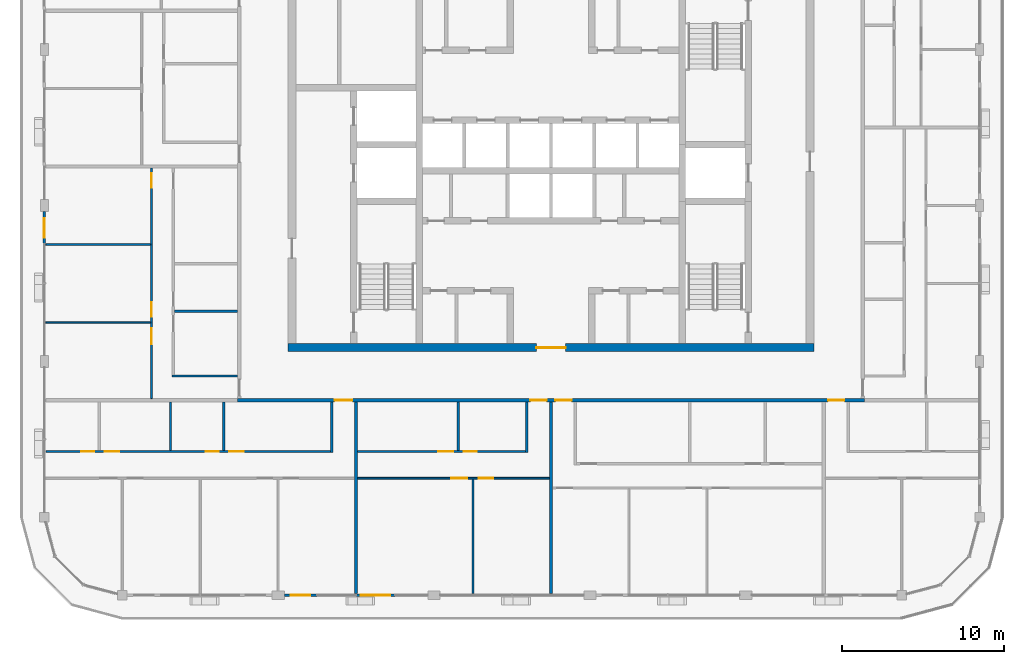
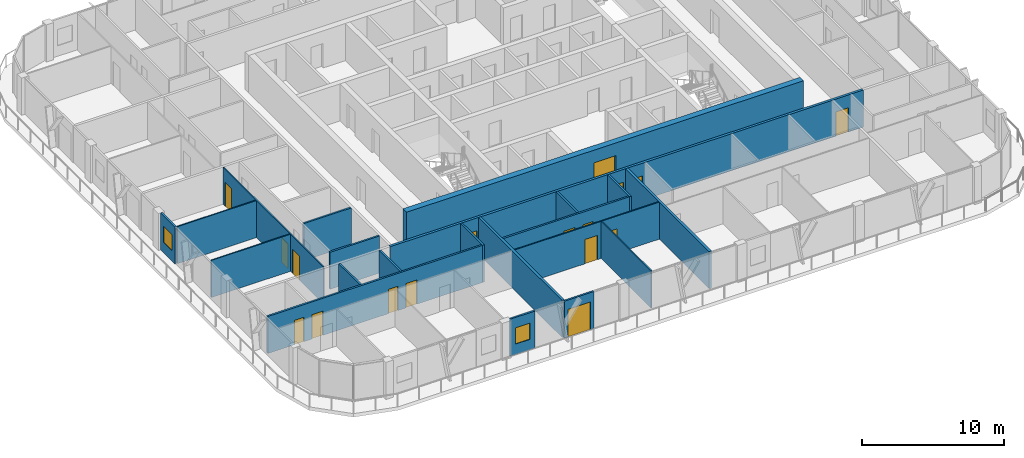
# One storey, part 9 of 21: 21 walls, 17 doors, 2 windows, 19 openings.
"""IFC4 building model written with IfcOpenShell, lengths in metres."""

import ifcopenshell
import ifcopenshell.guid

model = None  # the IFC model being written
_history = None  # IfcOwnerHistory: only IFC2X3 demands one
_inside = {}  # id of a spatial element -> (the spatial element, [elements in it])
_under = {}  # id of a project, library or spatial element -> (it, [spatial elements below it])
_declared = {}  # id of a project -> (the project, [libraries it declares])
_typed = {}  # id of a type object -> (the type object, [elements of that type])
_made_of = {}  # id of a material, layer set ... -> (it, [elements and type objects made of it])


def new_model(schema):
    """Start an empty IFC model of exactly this schema.

    Asked for "IFC4X3", IfcOpenShell would pick the latest addendum, in which some entities
    have other attributes; the version numbers below select the first issue.
    IFC2X3 requires an IfcOwnerHistory on every rooted entity: one is made here for all.
    """
    global model, _history
    if schema == "IFC4X3":
        model = ifcopenshell.file(schema_version=(4, 3, 0, 0))
    else:
        model = ifcopenshell.file(schema=schema)
    _inside.clear()
    _under.clear()
    _declared.clear()
    _typed.clear()
    _made_of.clear()
    _history = None
    if model.schema == "IFC2X3":
        org = make("IfcOrganization", Name="unknown")
        user = make(
            "IfcPersonAndOrganization",
            ThePerson=make("IfcPerson", FamilyName="unknown"),
            TheOrganization=org,
        )
        app = make(
            "IfcApplication",
            ApplicationDeveloper=org,
            Version="unknown",
            ApplicationFullName="unknown",
            ApplicationIdentifier="unknown",
        )
        _history = make(
            "IfcOwnerHistory",
            OwningUser=user,
            OwningApplication=app,
            ChangeAction="ADDED",
            CreationDate=0,
        )
    return model


def make(cls, **values):
    """One entity of the class cls with the attributes given. An attribute that is None is left unset."""
    return model.create_entity(
        cls, **{name: value for name, value in values.items() if value is not None}
    )


def rooted(cls, **values):
    """An entity with a GlobalId (a new one), such as an element, a storey or a relation."""
    return make(cls, GlobalId=ifcopenshell.guid.new(), OwnerHistory=_history, **values)


def si_unit(unit_type, name, prefix=None):
    """IfcSIUnit, for example si_unit("LENGTHUNIT", "METRE", prefix="MILLI")."""
    return make("IfcSIUnit", UnitType=unit_type, Prefix=prefix, Name=name)


def assignment(units):
    """IfcUnitAssignment: the units of a project."""
    return None if units is None else make("IfcUnitAssignment", Units=units)


def point(xyz):
    """IfcCartesianPoint."""
    return None if xyz is None else make("IfcCartesianPoint", Coordinates=xyz)


def direction(xyz):
    """IfcDirection."""
    return None if xyz is None else make("IfcDirection", DirectionRatios=xyz)


def frame(location, z_axis=None, x_axis=None):
    """IfcAxis2Placement3D, a coordinate frame: its origin and axes. An axis left out is left unset."""
    return make(
        "IfcAxis2Placement3D",
        Location=point(location),
        Axis=direction(z_axis),
        RefDirection=direction(x_axis),
    )


def frame_2d(location, x_axis=None):
    """IfcAxis2Placement2D, a coordinate frame in the plane: its origin and x axis."""
    return make(
        "IfcAxis2Placement2D", Location=point(location), RefDirection=direction(x_axis)
    )


def origin():
    """The frame at (0, 0, 0) with its axes left unset."""
    return frame((0.0, 0.0, 0.0))


def place(relative_to, where):
    """IfcLocalPlacement: puts the frame where relative to a parent placement (None: the world)."""
    return make(
        "IfcLocalPlacement", PlacementRelTo=relative_to, RelativePlacement=where
    )


def context(
    kind, dimensions, precision=None, world=None, true_north=None, identifier=None
):
    """IfcGeometricRepresentationContext, for example the 3D "Model" context."""
    return make(
        "IfcGeometricRepresentationContext",
        ContextIdentifier=identifier,
        ContextType=kind,
        CoordinateSpaceDimension=dimensions,
        Precision=precision,
        WorldCoordinateSystem=world,
        TrueNorth=true_north,
    )


def subcontext(parent, identifier, kind, view, scale=None):
    """IfcGeometricRepresentationSubContext, for example "Body" below "Model"."""
    return make(
        "IfcGeometricRepresentationSubContext",
        ContextIdentifier=identifier,
        ContextType=kind,
        ParentContext=parent,
        TargetScale=scale,
        TargetView=view,
    )


def project(units=None, contexts=None):
    """IfcProject with its units and contexts."""
    return rooted(
        "IfcProject",
        Name="project",
        RepresentationContexts=contexts,
        UnitsInContext=assignment(units),
    )


def spatial(cls, under=None, at=None, **own):
    """A site, building, storey or space (cls), placed at a placement, below another one or the project."""
    s = rooted(cls, ObjectPlacement=at, **own)
    if under is not None:
        _under.setdefault(under.id(), (under, []))[1].append(s)
    return s


def profile(cls, at=None, kind="AREA", **sizes):
    """A parametric profile (cls). Its sizes go by their IFC names, for example OverallWidth=200.0."""
    return make(cls, ProfileType=kind, Position=at, **sizes)


def rectangle(**sizes):
    """IfcRectangleProfileDef."""
    return profile("IfcRectangleProfileDef", **sizes)


def extrude(swept, where, along, depth):
    """IfcExtrudedAreaSolid: the profile swept, set in the frame where, extruded along a direction by depth."""
    return make(
        "IfcExtrudedAreaSolid",
        SweptArea=swept,
        Position=where,
        ExtrudedDirection=direction(along),
        Depth=depth,
    )


def shape(context_of_items, identifier, shape_type, items):
    """IfcShapeRepresentation: the items that make up one representation, for example the "Body"."""
    return make(
        "IfcShapeRepresentation",
        ContextOfItems=context_of_items,
        RepresentationIdentifier=identifier,
        RepresentationType=shape_type,
        Items=items,
    )


def material(Name=None, Category=None):
    """IfcMaterial."""
    return make("IfcMaterial", Name=Name, Category=Category)


def layer(
    of_material, thickness, ventilated=None, Name=None, Category=None, Priority=None
):
    """IfcMaterialLayer: one layer of a wall or slab, of a material (None: an air gap)."""
    return make(
        "IfcMaterialLayer",
        Material=of_material,
        LayerThickness=thickness,
        IsVentilated=ventilated,
        Name=Name,
        Category=Category,
        Priority=Priority,
    )


def layer_set(layers, Name=None):
    """IfcMaterialLayerSet."""
    return make("IfcMaterialLayerSet", MaterialLayers=layers, LayerSetName=Name)


def made_of(thing, what):
    """Note that an element or type object is made of a material, layer set ...; save() writes the relation."""
    if what is not None:
        _made_of.setdefault(what.id(), (what, []))[1].append(thing)
    return thing


def type_object(cls, material=None, **own):
    """A type object (cls), such as IfcWallType, which elements share."""
    return made_of(rooted(cls, **own), material)


def element(
    cls,
    number,
    at=None,
    inside=None,
    cuts=None,
    type_object=None,
    material=None,
    context=None,
    identifier="Body",
    shape_type=None,
    held_by="IfcProductDefinitionShape",
    body=None,
    shapes=None,
    **own,
):
    """One element of the class cls, such as IfcWall. Its Tag is "e" and its number.

    at: its placement. inside: the storey or other place that contains it. cuts: it is an
    opening in that element (IfcRelVoidsElement). A single representation is given by context,
    identifier, shape_type and body (its items); several are given by shapes. held_by: the class
    of the entity that holds the representations. save() writes the other relations.
    """
    e = rooted(cls, Tag="e%d" % number, ObjectPlacement=at, **own)
    if body is not None:
        shapes = [shape(context, identifier, shape_type, body)]
    if shapes is not None:
        e.Representation = make(held_by, Representations=shapes)
    if inside is not None:
        _inside.setdefault(inside.id(), (inside, []))[1].append(e)
    if cuts is not None:
        rooted(
            "IfcRelVoidsElement", RelatingBuildingElement=cuts, RelatedOpeningElement=e
        )
    if type_object is not None:
        _typed.setdefault(type_object.id(), (type_object, []))[1].append(e)
    return made_of(e, material)


def fill(opening, filler):
    """IfcRelFillsElement: the door or window that sits in an opening."""
    return rooted(
        "IfcRelFillsElement",
        RelatingOpeningElement=opening,
        RelatedBuildingElement=filler,
    )


def aggregate(whole, parts):
    """IfcRelAggregates: a whole, such as a stair, and the parts it consists of."""
    return rooted("IfcRelAggregates", RelatingObject=whole, RelatedObjects=parts)


def save(model, path):
    """Write the relations noted so far, then the file.

    IfcRelAggregates (storeys below a building ...), IfcRelContainedInSpatialStructure (elements
    in a storey), IfcRelDefinesByType, IfcRelAssociatesMaterial and IfcRelDeclares: one each for
    every whole, place, type object, material and project.
    """
    for whole, parts in _under.values():
        aggregate(whole, parts)
    for where, things in _inside.values():
        rooted(
            "IfcRelContainedInSpatialStructure",
            RelatedElements=things,
            RelatingStructure=where,
        )
    for kind, things in _typed.values():
        rooted("IfcRelDefinesByType", RelatedObjects=things, RelatingType=kind)
    for what, things in _made_of.values():
        rooted("IfcRelAssociatesMaterial", RelatedObjects=things, RelatingMaterial=what)
    for by, libraries in _declared.values():
        rooted("IfcRelDeclares", RelatingContext=by, RelatedDefinitions=libraries)
    model.write(path)


model = new_model("IFC4")

# Units and contexts
model_context = context("Model", 3, precision=1e-05, world=origin(), true_north=direction((0.0, 1.0)))
body_context = subcontext(model_context, "Body", "Model", "MODEL_VIEW")
ifc_project = project(units=[si_unit("LENGTHUNIT", "METRE"), si_unit("AREAUNIT", "SQUARE_METRE"), si_unit("VOLUMEUNIT", "CUBIC_METRE"), si_unit("PLANEANGLEUNIT", "RADIAN"), si_unit("MASSUNIT", "GRAM", prefix="KILO")], contexts=[model_context])

# Site, building, storey
site_placement = place(None, origin())
site = spatial("IfcSite", under=ifc_project, at=site_placement, CompositionType="ELEMENT")
building_placement = place(site_placement, origin())
building = spatial("IfcBuilding", under=site, at=building_placement, Name="Madar Terraces", CompositionType="ELEMENT")
storey_placement = place(building_placement, frame((0.0, 0.0, 268.60009765625)))
storey = spatial("IfcBuildingStorey", under=building, at=storey_placement, Name="L70", CompositionType="ELEMENT", Elevation=268.60009765625)

# Wall, opening, door
ifc_material_1 = material(Name="Concrete C50/60", Category="concrete")
ifc_layer_1 = layer(ifc_material_1, 0.5)
ifc_layer_set_1 = layer_set([ifc_layer_1], Name="Concrete C50/60 (CRW6 RC wall 500)")
wall_type_1 = type_object("IfcWallType", Name="CRW6 RC wall 500", PredefinedType="SHEAR", material=ifc_layer_set_1)
wall_1_placement = place(storey_placement, frame((15.0, 15.25, 0.0), z_axis=(0.0, 0.0, 1.0), x_axis=(1.0, 0.0, 0.0)))
wall_1 = element("IfcWall", 1, at=wall_1_placement, inside=storey, type_object=wall_type_1, Name="CORE OUTER WALL", PredefinedType="SHEAR", context=body_context, shape_type="SweptSolid", body=[
    extrude(rectangle(XDim=32.39990234375, YDim=0.5, at=frame_2d((16.199951171875, 0.0))), origin(), (0.0, 0.0, 1.0), 3.199951171875),
])
opening_1_placement = place(wall_1_placement, frame((15.300048828125, 0.0, 0.0)))
opening_1 = element("IfcOpeningElement", 2, at=opening_1_placement, cuts=wall_1, Name="Opening KD1", PredefinedType="OPENING", context=body_context, shape_type="SweptSolid", body=[
    extrude(rectangle(XDim=1.800048828125, YDim=2.10009765625, at=frame_2d((0.89990234375, 1.050048828125))), frame((0.0, 0.260009765625, 0.0), z_axis=(0.0, -1.0, 0.0), x_axis=(1.0, 0.0, 0.0)), (0.0, 0.0, 1.0), 0.52001953125),
])
ifc_material_2 = material(Name="Steel door leaf", Category="steel")
door_type_1 = type_object("IfcDoorType", Name="Lobby door pair 1800 x 2100", OperationType="DOUBLE_DOOR_SINGLE_SWING", PredefinedType="DOOR", material=ifc_material_2)
door_1_placement = place(opening_1_placement, frame((1.800048828125, 0.0, 0.0), z_axis=(0.0, 0.0, 1.0), x_axis=(-1.0, 0.0, 0.0)))
door_1 = element("IfcDoor", 3, at=door_1_placement, inside=storey, type_object=door_type_1, Name="LIFT LOBBY DOOR", OperationType="DOUBLE_DOOR_SINGLE_SWING", OverallHeight=2.10009765625, OverallWidth=1.800048828125, PredefinedType="DOOR", context=body_context, shape_type="SweptSolid", body=[
    extrude(rectangle(XDim=1.800048828125, YDim=2.10009765625, at=frame_2d((0.89990234375, 1.050048828125))), frame((0.0, 0.02490234375, 0.0), z_axis=(0.0, -1.0, 0.0), x_axis=(1.0, 0.0, 0.0)), (0.0, 0.0, 1.0), 0.050048828125),
])
fill(opening_1, door_1)

# Wall, opening, window
ifc_material_3 = material(Name="Aluminium composite panel, black, over insulated backing", Category="aluminium")
ifc_layer_2 = layer(ifc_material_3, 0.14990234375)
ifc_layer_set_2 = layer_set([ifc_layer_2], Name="Facade bay panel 150")
wall_type_2 = type_object("IfcWallType", Name="Facade bay panel 150", PredefinedType="SOLIDWALL", material=ifc_layer_set_2)
wall_2_placement = place(storey_placement, frame((14.77490234375, 0.0, 0.0), z_axis=(0.0, 0.0, 1.0), x_axis=(1.0, 0.0, 0.0)))
wall_2 = element("IfcWall", 4, at=wall_2_placement, inside=storey, type_object=wall_type_2, Name="Facade bay panel", PredefinedType="SOLIDWALL", context=body_context, shape_type="SweptSolid", body=[
    extrude(rectangle(XDim=2.025146484375, YDim=0.14990234375, at=frame_2d((1.0126953125, 0.0))), origin(), (0.0, 0.0, 1.0), 3.199951171875),
])
opening_2_placement = place(wall_2_placement, frame((0.41259765625, 0.0, 0.89990234375)))
opening_2 = element("IfcOpeningElement", 5, at=opening_2_placement, cuts=wall_2, Name="Opening W1", PredefinedType="OPENING", context=body_context, shape_type="SweptSolid", body=[
    extrude(rectangle(XDim=1.199951171875, YDim=1.39990234375, at=frame_2d((0.60009765625, 0.699951171875))), frame((0.0, 0.0849609375, 0.0), z_axis=(0.0, -1.0, 0.0), x_axis=(1.0, 0.0, 0.0)), (0.0, 0.0, 1.0), 0.169921875),
])
ifc_material_4 = material(Name="Glass, clear, with black aluminium frame", Category="aluminium")
window_type = type_object("IfcWindowType", Name="Vent window 1200 x 1400", PartitioningType="SINGLE_PANEL", PredefinedType="WINDOW", material=ifc_material_4)
window_1_placement = place(opening_2_placement, origin())
window_1 = element("IfcWindow", 6, at=window_1_placement, inside=storey, type_object=window_type, Name="Operable vent window", OverallHeight=1.39990234375, OverallWidth=1.199951171875, PartitioningType="SINGLE_PANEL", PredefinedType="WINDOW", context=body_context, shape_type="SweptSolid", body=[
    extrude(rectangle(XDim=1.199951171875, YDim=1.39990234375, at=frame_2d((0.60009765625, 0.699951171875))), frame((0.0, 0.030029296875, 0.0), z_axis=(0.0, -1.0, 0.0), x_axis=(1.0, 0.0, 0.0)), (0.0, 0.0, 1.0), 0.06005859375),
])
fill(opening_2, window_1)

# Wall, opening, door
wall_3_placement = place(storey_placement, frame((19.199951171875, 0.0, 0.0), z_axis=(0.0, 0.0, 1.0), x_axis=(1.0, 0.0, 0.0)))
wall_3 = element("IfcWall", 7, at=wall_3_placement, inside=storey, type_object=wall_type_2, Name="Facade bay panel", PredefinedType="SOLIDWALL", context=body_context, shape_type="SweptSolid", body=[
    extrude(rectangle(XDim=2.400146484375, YDim=0.14990234375, at=frame_2d((1.2001953125, 0.0))), origin(), (0.0, 0.0, 1.0), 3.199951171875),
])
opening_3_placement = place(wall_3_placement, frame((0.300048828125, 0.0, 0.0)))
opening_3 = element("IfcOpeningElement", 8, at=opening_3_placement, cuts=wall_3, Name="Opening ED1", PredefinedType="OPENING", context=body_context, shape_type="SweptSolid", body=[
    extrude(rectangle(XDim=1.800048828125, YDim=2.39990234375, at=frame_2d((0.89990234375, 1.199951171875))), frame((0.0, 0.0849609375, 0.0), z_axis=(0.0, -1.0, 0.0), x_axis=(1.0, 0.0, 0.0)), (0.0, 0.0, 1.0), 0.169921875),
])
ifc_material_5 = material(Name="Glass, clear, with black aluminium frame", Category="aluminium")
door_type_2 = type_object("IfcDoorType", Name="Balcony and terrace sliding door 1800 x 2400", OperationType="SLIDING_TO_LEFT", PredefinedType="DOOR", material=ifc_material_5)
door_2_placement = place(opening_3_placement, origin())
door_2 = element("IfcDoor", 9, at=door_2_placement, inside=storey, type_object=door_type_2, Name="Balcony door", OperationType="SLIDING_TO_LEFT", OverallHeight=2.39990234375, OverallWidth=1.800048828125, PredefinedType="DOOR", context=body_context, shape_type="SweptSolid", body=[
    extrude(rectangle(XDim=1.800048828125, YDim=2.39990234375, at=frame_2d((0.89990234375, 1.199951171875))), frame((0.0, 0.02490234375, 0.0), z_axis=(0.0, -1.0, 0.0), x_axis=(1.0, 0.0, 0.0)), (0.0, 0.0, 1.0), 0.050048828125),
])
fill(opening_3, door_2)

# Wall, opening, window
wall_4_placement = place(storey_placement, frame((0.0, 23.625, 0.0), z_axis=(0.0, 0.0, 1.0), x_axis=(0.0, -1.0, 0.0)))
wall_4 = element("IfcWall", 10, at=wall_4_placement, inside=storey, type_object=wall_type_2, Name="Facade bay panel", PredefinedType="SOLIDWALL", context=body_context, shape_type="SweptSolid", body=[
    extrude(rectangle(XDim=2.02490234375, YDim=0.14990234375, at=frame_2d((1.012451171875, 0.0))), origin(), (0.0, 0.0, 1.0), 3.199951171875),
])
opening_4_placement = place(wall_4_placement, frame((0.41259765625, 0.0, 0.89990234375)))
opening_4 = element("IfcOpeningElement", 11, at=opening_4_placement, cuts=wall_4, Name="Opening W1", PredefinedType="OPENING", context=body_context, shape_type="SweptSolid", body=[
    extrude(rectangle(XDim=1.199951171875, YDim=1.39990234375, at=frame_2d((0.60009765625, 0.699951171875))), frame((0.0, 0.0849609375, 0.0), z_axis=(0.0, -1.0, 0.0), x_axis=(1.0, 0.0, 0.0)), (0.0, 0.0, 1.0), 0.169921875),
])
window_2_placement = place(opening_4_placement, origin())
window_2 = element("IfcWindow", 12, at=window_2_placement, inside=storey, type_object=window_type, Name="Operable vent window", OverallHeight=1.39990234375, OverallWidth=1.199951171875, PartitioningType="SINGLE_PANEL", PredefinedType="WINDOW", context=body_context, shape_type="SweptSolid", body=[
    extrude(rectangle(XDim=1.199951171875, YDim=1.39990234375, at=frame_2d((0.60009765625, 0.699951171875))), frame((0.0, 0.030029296875, 0.0), z_axis=(0.0, -1.0, 0.0), x_axis=(1.0, 0.0, 0.0)), (0.0, 0.0, 1.0), 0.06005859375),
])
fill(opening_4, window_2)

# Wall
ifc_material_6 = material(Name="Gypsum board on steel studs", Category="steel")
ifc_layer_3 = layer(ifc_material_6, 0.10009765625)
ifc_layer_set_3 = layer_set([ifc_layer_3], Name="Flat partition 100")
wall_type_3 = type_object("IfcWallType", Name="Flat partition 100", PredefinedType="PARTITIONING", material=ifc_layer_set_3)
wall_5_placement = place(storey_placement, frame((26.39990234375, 7.14990234375, 0.0), z_axis=(0.0, 0.0, 1.0), x_axis=(0.0, -1.0, 0.0)))
element("IfcWall", 13, at=wall_5_placement, inside=storey, type_object=wall_type_3, Name="Flat partition 100", PredefinedType="PARTITIONING", context=body_context, shape_type="SweptSolid", body=[
    extrude(rectangle(XDim=7.0498046875, YDim=0.10009765625, at=frame_2d((3.52490234375, 0.0))), origin(), (0.0, 0.0, 1.0), 3.199951171875),
])

# Wall, openings, doors
wall_6_placement = place(storey_placement, frame((31.10009765625, 7.199951171875, 0.0), z_axis=(0.0, 0.0, 1.0), x_axis=(-1.0, 0.0, 0.0)))
wall_6 = element("IfcWall", 14, at=wall_6_placement, inside=storey, type_object=wall_type_3, Name="Flat partition 100", PredefinedType="PARTITIONING", context=body_context, shape_type="SweptSolid", body=[
    extrude(rectangle(XDim=11.800048828125, YDim=0.10009765625, at=frame_2d((5.89990234375, 0.0))), origin(), (0.0, 0.0, 1.0), 3.199951171875),
])
opening_5_placement = place(wall_6_placement, frame((3.449951171875, 0.0, 0.0)))
opening_5 = element("IfcOpeningElement", 15, at=opening_5_placement, cuts=wall_6, Name="Opening D2", PredefinedType="OPENING", context=body_context, shape_type="SweptSolid", body=[
    extrude(rectangle(XDim=0.89990234375, YDim=2.10009765625, at=frame_2d((0.449951171875, 1.050048828125))), frame((0.0, 0.06005859375, 0.0), z_axis=(0.0, -1.0, 0.0), x_axis=(1.0, 0.0, 0.0)), (0.0, 0.0, 1.0), 0.1201171875),
])
opening_6_placement = place(wall_6_placement, frame((5.050048828125, 0.0, 0.0)))
opening_6 = element("IfcOpeningElement", 16, at=opening_6_placement, cuts=wall_6, Name="Opening D3", PredefinedType="OPENING", context=body_context, shape_type="SweptSolid", body=[
    extrude(rectangle(XDim=1.0, YDim=2.10009765625, at=frame_2d((0.5, 1.050048828125))), frame((0.0, 0.06005859375, 0.0), z_axis=(0.0, -1.0, 0.0), x_axis=(1.0, 0.0, 0.0)), (0.0, 0.0, 1.0), 0.1201171875),
])
ifc_material_7 = material(Name="Timber door leaf", Category="wood")
door_type_3 = type_object("IfcDoorType", Name="Flat living room door 1000", OperationType="NOTDEFINED", PredefinedType="DOOR", material=ifc_material_7)
door_3_placement = place(opening_6_placement, origin())
door_3 = element("IfcDoor", 17, at=door_3_placement, inside=storey, type_object=door_type_3, Name="Flat living room door 1000", OperationType="SINGLE_SWING_LEFT", OverallHeight=2.10009765625, OverallWidth=1.0, PredefinedType="DOOR", context=body_context, shape_type="SweptSolid", body=[
    extrude(rectangle(XDim=1.0, YDim=2.10009765625, at=frame_2d((0.5, 1.050048828125))), frame((0.0, 0.02490234375, 0.0), z_axis=(0.0, -1.0, 0.0), x_axis=(1.0, 0.0, 0.0)), (0.0, 0.0, 1.0), 0.050048828125),
])
fill(opening_6, door_3)
ifc_material_8 = material(Name="Timber door leaf", Category="wood")
door_type_4 = type_object("IfcDoorType", Name="Flat room door 900", OperationType="NOTDEFINED", PredefinedType="DOOR", material=ifc_material_8)
door_4_placement = place(opening_5_placement, origin())
door_4 = element("IfcDoor", 18, at=door_4_placement, inside=storey, type_object=door_type_4, Name="Flat room door 900", OperationType="SINGLE_SWING_RIGHT", OverallHeight=2.10009765625, OverallWidth=0.89990234375, PredefinedType="DOOR", context=body_context, shape_type="SweptSolid", body=[
    extrude(rectangle(XDim=0.89990234375, YDim=2.10009765625, at=frame_2d((0.449951171875, 1.050048828125))), frame((0.0, 0.02490234375, 0.0), z_axis=(0.0, -1.0, 0.0), x_axis=(1.0, 0.0, 0.0)), (0.0, 0.0, 1.0), 0.050048828125),
])
fill(opening_5, door_4)

# Walls
for number, where, z_axis, x_axis, name in (
    (19, (6.550048828125, 16.800048828125, 0.0), (0.0, 0.0, 1.0), (-1.0, 0.0, 0.0), "Flat partition 100"),
    (20, (6.550048828125, 21.60009765625, 0.0), (0.0, 0.0, 1.0), (-1.0, 0.0, 0.0), "Flat partition 100"),
):
    element("IfcWall", number, at=place(storey_placement, frame(where, z_axis=z_axis, x_axis=x_axis)), inside=storey, type_object=wall_type_3, Name=name, PredefinedType="PARTITIONING", context=body_context, shape_type="SweptSolid", body=[
        extrude(rectangle(XDim=6.449951171875, YDim=0.10009765625, at=frame_2d((3.22509765625, 0.0))), origin(), (0.0, 0.0, 1.0), 3.199951171875),
    ])

# Wall, openings, doors
wall_7_placement = place(storey_placement, frame((6.60009765625, 12.10009765625, 0.0), z_axis=(0.0, 0.0, 1.0), x_axis=(0.0, 1.0, 0.0)))
wall_7 = element("IfcWall", 21, at=wall_7_placement, inside=storey, type_object=wall_type_3, Name="Flat partition 100", PredefinedType="PARTITIONING", context=body_context, shape_type="SweptSolid", body=[
    extrude(rectangle(XDim=14.199951171875, YDim=0.10009765625, at=frame_2d((7.10009765625, 0.0))), origin(), (0.0, 0.0, 1.0), 3.199951171875),
])
opening_7_placement = place(wall_7_placement, frame((3.35009765625, 0.0, 0.0)))
opening_7 = element("IfcOpeningElement", 22, at=opening_7_placement, cuts=wall_7, Name="Opening D3", PredefinedType="OPENING", context=body_context, shape_type="SweptSolid", body=[
    extrude(rectangle(XDim=1.0, YDim=2.10009765625, at=frame_2d((0.5, 1.050048828125))), frame((0.0, 0.06005859375, 0.0), z_axis=(0.0, -1.0, 0.0), x_axis=(1.0, 0.0, 0.0)), (0.0, 0.0, 1.0), 0.1201171875),
])
opening_8_placement = place(wall_7_placement, frame((5.050048828125, 0.0, 0.0)))
opening_8 = element("IfcOpeningElement", 23, at=opening_8_placement, cuts=wall_7, Name="Opening D2", PredefinedType="OPENING", context=body_context, shape_type="SweptSolid", body=[
    extrude(rectangle(XDim=0.89990234375, YDim=2.10009765625, at=frame_2d((0.449951171875, 1.050048828125))), frame((0.0, 0.06005859375, 0.0), z_axis=(0.0, -1.0, 0.0), x_axis=(1.0, 0.0, 0.0)), (0.0, 0.0, 1.0), 0.1201171875),
])
opening_9_placement = place(wall_7_placement, frame((13.0, 0.0, 0.0)))
opening_9 = element("IfcOpeningElement", 24, at=opening_9_placement, cuts=wall_7, Name="Opening D2", PredefinedType="OPENING", context=body_context, shape_type="SweptSolid", body=[
    extrude(rectangle(XDim=0.89990234375, YDim=2.10009765625, at=frame_2d((0.449951171875, 1.050048828125))), frame((0.0, 0.06005859375, 0.0), z_axis=(0.0, -1.0, 0.0), x_axis=(1.0, 0.0, 0.0)), (0.0, 0.0, 1.0), 0.1201171875),
])
door_5_placement = place(opening_7_placement, origin())
door_5 = element("IfcDoor", 25, at=door_5_placement, inside=storey, type_object=door_type_3, Name="Flat living room door 1000", OperationType="SINGLE_SWING_RIGHT", OverallHeight=2.10009765625, OverallWidth=1.0, PredefinedType="DOOR", context=body_context, shape_type="SweptSolid", body=[
    extrude(rectangle(XDim=1.0, YDim=2.10009765625, at=frame_2d((0.5, 1.050048828125))), frame((0.0, 0.02490234375, 0.0), z_axis=(0.0, -1.0, 0.0), x_axis=(1.0, 0.0, 0.0)), (0.0, 0.0, 1.0), 0.050048828125),
])
fill(opening_7, door_5)
door_6_placement = place(opening_8_placement, origin())
door_6 = element("IfcDoor", 26, at=door_6_placement, inside=storey, type_object=door_type_4, Name="Flat room door 900", OperationType="SINGLE_SWING_LEFT", OverallHeight=2.10009765625, OverallWidth=0.89990234375, PredefinedType="DOOR", context=body_context, shape_type="SweptSolid", body=[
    extrude(rectangle(XDim=0.89990234375, YDim=2.10009765625, at=frame_2d((0.449951171875, 1.050048828125))), frame((0.0, 0.02490234375, 0.0), z_axis=(0.0, -1.0, 0.0), x_axis=(1.0, 0.0, 0.0)), (0.0, 0.0, 1.0), 0.050048828125),
])
fill(opening_8, door_6)
door_7_placement = place(opening_9_placement, origin())
door_7 = element("IfcDoor", 27, at=door_7_placement, inside=storey, type_object=door_type_4, Name="Flat room door 900", OperationType="SINGLE_SWING_RIGHT", OverallHeight=2.10009765625, OverallWidth=0.89990234375, PredefinedType="DOOR", context=body_context, shape_type="SweptSolid", body=[
    extrude(rectangle(XDim=0.89990234375, YDim=2.10009765625, at=frame_2d((0.449951171875, 1.050048828125))), frame((0.0, 0.02490234375, 0.0), z_axis=(0.0, -1.0, 0.0), x_axis=(1.0, 0.0, 0.0)), (0.0, 0.0, 1.0), 0.050048828125),
])
fill(opening_9, door_7)

ifc_material_9 = material(Name="Lightweight blockwork", Category="masonry")
ifc_layer_4 = layer(ifc_material_9, 0.199951171875)
ifc_layer_set_4 = layer_set([ifc_layer_4], Name="Flat party and entrance wall 200")
wall_type_4 = type_object("IfcWallType", Name="Flat party and entrance wall 200", PredefinedType="PARTITIONING", material=ifc_layer_set_4)
wall_8_placement = place(storey_placement, frame((50.5, 12.0, 0.0), z_axis=(0.0, 0.0, 1.0), x_axis=(-1.0, 0.0, 0.0)))
wall_8 = element("IfcWall", 28, at=wall_8_placement, inside=storey, type_object=wall_type_4, Name="Flat party and entrance wall 200", PredefinedType="PARTITIONING", context=body_context, shape_type="SweptSolid", body=[
    extrude(rectangle(XDim=38.60009765625, YDim=0.199951171875, at=frame_2d((19.300048828125, 0.0))), origin(), (0.0, 0.0, 1.0), 3.199951171875),
])
opening_10_placement = place(wall_8_placement, frame((31.52490234375, 0.0, 0.0)))
opening_10 = element("IfcOpeningElement", 29, at=opening_10_placement, cuts=wall_8, Name="Opening D6", PredefinedType="OPENING", context=body_context, shape_type="SweptSolid", body=[
    extrude(rectangle(XDim=1.10009765625, YDim=2.10009765625, at=frame_2d((0.550048828125, 1.050048828125))), frame((0.0, 0.10986328125, 0.0), z_axis=(0.0, -1.0, 0.0), x_axis=(1.0, 0.0, 0.0)), (0.0, 0.0, 1.0), 0.219970703125),
])
opening_11_placement = place(wall_8_placement, frame((19.574951171875, 0.0, 0.0)))
opening_11 = element("IfcOpeningElement", 30, at=opening_11_placement, cuts=wall_8, Name="Opening D1", PredefinedType="OPENING", context=body_context, shape_type="SweptSolid", body=[
    extrude(rectangle(XDim=1.0, YDim=2.10009765625, at=frame_2d((0.5, 1.050048828125))), frame((0.0, 0.10986328125, 0.0), z_axis=(0.0, -1.0, 0.0), x_axis=(1.0, 0.0, 0.0)), (0.0, 0.0, 1.0), 0.219970703125),
])
opening_12_placement = place(wall_8_placement, frame((18.02490234375, 0.0, 0.0)))
opening_12 = element("IfcOpeningElement", 31, at=opening_12_placement, cuts=wall_8, Name="Opening D1", PredefinedType="OPENING", context=body_context, shape_type="SweptSolid", body=[
    extrude(rectangle(XDim=1.0, YDim=2.10009765625, at=frame_2d((0.5, 1.050048828125))), frame((0.0, 0.10986328125, 0.0), z_axis=(0.0, -1.0, 0.0), x_axis=(1.0, 0.0, 0.0)), (0.0, 0.0, 1.0), 0.219970703125),
])
opening_13_placement = place(wall_8_placement, frame((1.22509765625, 0.0, 0.0)))
opening_13 = element("IfcOpeningElement", 32, at=opening_13_placement, cuts=wall_8, Name="Opening D1", PredefinedType="OPENING", context=body_context, shape_type="SweptSolid", body=[
    extrude(rectangle(XDim=1.0, YDim=2.10009765625, at=frame_2d((0.5, 1.050048828125))), frame((0.0, 0.10986328125, 0.0), z_axis=(0.0, -1.0, 0.0), x_axis=(1.0, 0.0, 0.0)), (0.0, 0.0, 1.0), 0.219970703125),
])
ifc_material_10 = material(Name="Timber fire door leaf", Category="wood")
door_type_5 = type_object("IfcDoorType", Name="Flat entrance door 1000 FD30S", OperationType="NOTDEFINED", PredefinedType="DOOR", material=ifc_material_10)
door_8_placement = place(opening_11_placement, origin())
door_8 = element("IfcDoor", 33, at=door_8_placement, inside=storey, type_object=door_type_5, Name="Flat entrance door 1000 FD30S", OperationType="SINGLE_SWING_LEFT", OverallHeight=2.10009765625, OverallWidth=1.0, PredefinedType="DOOR", context=body_context, shape_type="SweptSolid", body=[
    extrude(rectangle(XDim=1.0, YDim=2.10009765625, at=frame_2d((0.5, 1.050048828125))), frame((0.0, 0.02490234375, 0.0), z_axis=(0.0, -1.0, 0.0), x_axis=(1.0, 0.0, 0.0)), (0.0, 0.0, 1.0), 0.050048828125),
])
fill(opening_11, door_8)
door_9_placement = place(opening_12_placement, origin())
door_9 = element("IfcDoor", 34, at=door_9_placement, inside=storey, type_object=door_type_5, Name="Flat entrance door 1000 FD30S", OperationType="SINGLE_SWING_RIGHT", OverallHeight=2.10009765625, OverallWidth=1.0, PredefinedType="DOOR", context=body_context, shape_type="SweptSolid", body=[
    extrude(rectangle(XDim=1.0, YDim=2.10009765625, at=frame_2d((0.5, 1.050048828125))), frame((0.0, 0.02490234375, 0.0), z_axis=(0.0, -1.0, 0.0), x_axis=(1.0, 0.0, 0.0)), (0.0, 0.0, 1.0), 0.050048828125),
])
fill(opening_12, door_9)
door_10_placement = place(opening_13_placement, origin())
door_10 = element("IfcDoor", 35, at=door_10_placement, inside=storey, type_object=door_type_5, Name="Flat entrance door 1000 FD30S", OperationType="SINGLE_SWING_RIGHT", OverallHeight=2.10009765625, OverallWidth=1.0, PredefinedType="DOOR", context=body_context, shape_type="SweptSolid", body=[
    extrude(rectangle(XDim=1.0, YDim=2.10009765625, at=frame_2d((0.5, 1.050048828125))), frame((0.0, 0.02490234375, 0.0), z_axis=(0.0, -1.0, 0.0), x_axis=(1.0, 0.0, 0.0)), (0.0, 0.0, 1.0), 0.050048828125),
])
fill(opening_13, door_10)
ifc_material_11 = material(Name="Timber fire door leaf", Category="wood")
door_type_6 = type_object("IfcDoorType", Name="Flat entrance door 1100 FD30S", OperationType="NOTDEFINED", PredefinedType="DOOR", material=ifc_material_11)
door_11_placement = place(opening_10_placement, origin())
door_11 = element("IfcDoor", 36, at=door_11_placement, inside=storey, type_object=door_type_6, Name="Flat entrance door 1100 FD30S", OperationType="SINGLE_SWING_LEFT", OverallHeight=2.10009765625, OverallWidth=1.10009765625, PredefinedType="DOOR", context=body_context, shape_type="SweptSolid", body=[
    extrude(rectangle(XDim=1.10009765625, YDim=2.10009765625, at=frame_2d((0.550048828125, 1.050048828125))), frame((0.0, 0.02490234375, 0.0), z_axis=(0.0, -1.0, 0.0), x_axis=(1.0, 0.0, 0.0)), (0.0, 0.0, 1.0), 0.050048828125),
])
fill(opening_10, door_11)

# Walls
for number, where, z_axis, x_axis, name in (
    (37, (19.199951171875, 11.89990234375, 0.0), (0.0, 0.0, 1.0), (0.0, -1.0, 0.0), "Flat party and entrance wall 200"),
    (38, (31.199951171875, 11.89990234375, 0.0), (0.0, 0.0, 1.0), (0.0, -1.0, 0.0), "Flat party and entrance wall 200"),
):
    element("IfcWall", number, at=place(storey_placement, frame(where, z_axis=z_axis, x_axis=x_axis)), inside=storey, type_object=wall_type_4, Name=name, PredefinedType="PARTITIONING", context=body_context, shape_type="SweptSolid", body=[
        extrude(rectangle(XDim=11.7998046875, YDim=0.199951171875, at=frame_2d((5.89990234375, 0.0))), origin(), (0.0, 0.0, 1.0), 3.199951171875),
    ])
ifc_material_12 = material(Name="Lightweight blockwork", Category="masonry")
ifc_layer_5 = layer(ifc_material_12, 0.14990234375)
ifc_layer_set_5 = layer_set([ifc_layer_5], Name="Flat wet-room partition 150")
wall_type_5 = type_object("IfcWallType", Name="Flat wet-room partition 150", PredefinedType="PARTITIONING", material=ifc_layer_set_5)
for number, where, z_axis, x_axis, name in (
    (39, (11.052978515625, 11.89990234375, 0.0), (0.0, 0.0, 1.0), (0.0, -1.0, 0.0), "Flat wet-room partition 150"),
    (40, (7.76708984375, 11.89990234375, 0.0), (0.0, 0.0, 1.0), (0.0, -1.0, 0.0), "Flat wet-room partition 150"),
):
    element("IfcWall", number, at=place(storey_placement, frame(where, z_axis=z_axis, x_axis=x_axis)), inside=storey, type_object=wall_type_5, Name=name, PredefinedType="PARTITIONING", context=body_context, shape_type="SweptSolid", body=[
        extrude(rectangle(XDim=2.974853515625, YDim=0.14990234375, at=frame_2d((1.4873046875, 0.0))), origin(), (0.0, 0.0, 1.0), 3.199951171875),
    ])
wall_9_placement = place(storey_placement, frame((17.699951171875, 11.89990234375, 0.0), z_axis=(0.0, 0.0, 1.0), x_axis=(0.0, -1.0, 0.0)))
element("IfcWall", 41, at=wall_9_placement, inside=storey, type_object=wall_type_5, Name="Flat wet-room partition 150", PredefinedType="PARTITIONING", context=body_context, shape_type="SweptSolid", body=[
    extrude(rectangle(XDim=3.125, YDim=0.14990234375, at=frame_2d((1.5625, 0.0))), origin(), (0.0, 0.0, 1.0), 3.199951171875),
])

# Wall, openings, doors
wall_10_placement = place(storey_placement, frame((0.10009765625, 8.85009765625, 0.0), z_axis=(0.0, 0.0, 1.0), x_axis=(1.0, 0.0, 0.0)))
wall_10 = element("IfcWall", 42, at=wall_10_placement, inside=storey, type_object=wall_type_5, Name="Flat wet-room partition 150", PredefinedType="PARTITIONING", context=body_context, shape_type="SweptSolid", body=[
    extrude(rectangle(XDim=17.52490234375, YDim=0.14990234375, at=frame_2d((8.762451171875, 0.0))), origin(), (0.0, 0.0, 1.0), 3.199951171875),
])
opening_14_placement = place(wall_10_placement, frame((11.278076171875, 0.0, 0.0)))
opening_14 = element("IfcOpeningElement", 43, at=opening_14_placement, cuts=wall_10, Name="Opening D2", PredefinedType="OPENING", context=body_context, shape_type="SweptSolid", body=[
    extrude(rectangle(XDim=0.89990234375, YDim=2.10009765625, at=frame_2d((0.449951171875, 1.050048828125))), frame((0.0, 0.0849609375, 0.0), z_axis=(0.0, -1.0, 0.0), x_axis=(1.0, 0.0, 0.0)), (0.0, 0.0, 1.0), 0.169921875),
])
opening_15_placement = place(wall_10_placement, frame((9.828125, 0.0, 0.0)))
opening_15 = element("IfcOpeningElement", 44, at=opening_15_placement, cuts=wall_10, Name="Opening D4", PredefinedType="OPENING", context=body_context, shape_type="SweptSolid", body=[
    extrude(rectangle(XDim=0.800048828125, YDim=2.10009765625, at=frame_2d((0.39990234375, 1.050048828125))), frame((0.0, 0.0849609375, 0.0), z_axis=(0.0, -1.0, 0.0), x_axis=(1.0, 0.0, 0.0)), (0.0, 0.0, 1.0), 0.169921875),
])
opening_16_placement = place(wall_10_placement, frame((3.611083984375, 0.0, 0.0)))
opening_16 = element("IfcOpeningElement", 45, at=opening_16_placement, cuts=wall_10, Name="Opening D5", PredefinedType="OPENING", context=body_context, shape_type="SweptSolid", body=[
    extrude(rectangle(XDim=0.89990234375, YDim=2.10009765625, at=frame_2d((0.449951171875, 1.050048828125))), frame((0.0, 0.0849609375, 0.0), z_axis=(0.0, -1.0, 0.0), x_axis=(1.0, 0.0, 0.0)), (0.0, 0.0, 1.0), 0.169921875),
])
opening_17_placement = place(wall_10_placement, frame((2.160888671875, 0.0, 0.0)))
opening_17 = element("IfcOpeningElement", 46, at=opening_17_placement, cuts=wall_10, Name="Opening D7", PredefinedType="OPENING", context=body_context, shape_type="SweptSolid", body=[
    extrude(rectangle(XDim=0.800048828125, YDim=2.10009765625, at=frame_2d((0.39990234375, 1.050048828125))), frame((0.0, 0.0849609375, 0.0), z_axis=(0.0, -1.0, 0.0), x_axis=(1.0, 0.0, 0.0)), (0.0, 0.0, 1.0), 0.169921875),
])
ifc_material_13 = material(Name="Timber door leaf", Category="wood")
door_type_7 = type_object("IfcDoorType", Name="Flat accessible bathroom door 900", OperationType="NOTDEFINED", PredefinedType="DOOR", material=ifc_material_13)
door_12_placement = place(opening_16_placement, origin())
door_12 = element("IfcDoor", 47, at=door_12_placement, inside=storey, type_object=door_type_7, Name="Flat accessible bathroom door 900", OperationType="SINGLE_SWING_LEFT", OverallHeight=2.10009765625, OverallWidth=0.89990234375, PredefinedType="DOOR", context=body_context, shape_type="SweptSolid", body=[
    extrude(rectangle(XDim=0.89990234375, YDim=2.10009765625, at=frame_2d((0.449951171875, 1.050048828125))), frame((0.0, 0.02490234375, 0.0), z_axis=(0.0, -1.0, 0.0), x_axis=(1.0, 0.0, 0.0)), (0.0, 0.0, 1.0), 0.050048828125),
])
fill(opening_16, door_12)
ifc_material_14 = material(Name="Timber door leaf", Category="wood")
door_type_8 = type_object("IfcDoorType", Name="Flat bathroom door 800", OperationType="NOTDEFINED", PredefinedType="DOOR", material=ifc_material_14)
door_13_placement = place(opening_15_placement, origin())
door_13 = element("IfcDoor", 48, at=door_13_placement, inside=storey, type_object=door_type_8, Name="Flat bathroom door 800", OperationType="SINGLE_SWING_RIGHT", OverallHeight=2.10009765625, OverallWidth=0.800048828125, PredefinedType="DOOR", context=body_context, shape_type="SweptSolid", body=[
    extrude(rectangle(XDim=0.800048828125, YDim=2.10009765625, at=frame_2d((0.39990234375, 1.050048828125))), frame((0.0, 0.02490234375, 0.0), z_axis=(0.0, -1.0, 0.0), x_axis=(1.0, 0.0, 0.0)), (0.0, 0.0, 1.0), 0.050048828125),
])
fill(opening_15, door_13)
door_14_placement = place(opening_14_placement, origin())
door_14 = element("IfcDoor", 49, at=door_14_placement, inside=storey, type_object=door_type_4, Name="Flat room door 900", OperationType="SINGLE_SWING_LEFT", OverallHeight=2.10009765625, OverallWidth=0.89990234375, PredefinedType="DOOR", context=body_context, shape_type="SweptSolid", body=[
    extrude(rectangle(XDim=0.89990234375, YDim=2.10009765625, at=frame_2d((0.449951171875, 1.050048828125))), frame((0.0, 0.02490234375, 0.0), z_axis=(0.0, -1.0, 0.0), x_axis=(1.0, 0.0, 0.0)), (0.0, 0.0, 1.0), 0.050048828125),
])
fill(opening_14, door_14)
ifc_material_15 = material(Name="Timber door leaf", Category="wood")
door_type_9 = type_object("IfcDoorType", Name="Flat utility door 800", OperationType="NOTDEFINED", PredefinedType="DOOR", material=ifc_material_15)
door_15_placement = place(opening_17_placement, origin())
door_15 = element("IfcDoor", 50, at=door_15_placement, inside=storey, type_object=door_type_9, Name="Flat utility door 800", OperationType="SINGLE_SWING_RIGHT", OverallHeight=2.10009765625, OverallWidth=0.800048828125, PredefinedType="DOOR", context=body_context, shape_type="SweptSolid", body=[
    extrude(rectangle(XDim=0.800048828125, YDim=2.10009765625, at=frame_2d((0.39990234375, 1.050048828125))), frame((0.0, 0.02490234375, 0.0), z_axis=(0.0, -1.0, 0.0), x_axis=(1.0, 0.0, 0.0)), (0.0, 0.0, 1.0), 0.050048828125),
])
fill(opening_17, door_15)

# Walls
wall_11_placement = place(storey_placement, frame((25.4951171875, 11.89990234375, 0.0), z_axis=(0.0, 0.0, 1.0), x_axis=(0.0, -1.0, 0.0)))
element("IfcWall", 51, at=wall_11_placement, inside=storey, type_object=wall_type_5, Name="Flat wet-room partition 150", PredefinedType="PARTITIONING", context=body_context, shape_type="SweptSolid", body=[
    extrude(rectangle(XDim=2.974853515625, YDim=0.14990234375, at=frame_2d((1.4873046875, 0.0))), origin(), (0.0, 0.0, 1.0), 3.199951171875),
])
wall_12_placement = place(storey_placement, frame((29.699951171875, 11.89990234375, 0.0), z_axis=(0.0, 0.0, 1.0), x_axis=(0.0, -1.0, 0.0)))
element("IfcWall", 52, at=wall_12_placement, inside=storey, type_object=wall_type_5, Name="Flat wet-room partition 150", PredefinedType="PARTITIONING", context=body_context, shape_type="SweptSolid", body=[
    extrude(rectangle(XDim=3.125, YDim=0.14990234375, at=frame_2d((1.5625, 0.0))), origin(), (0.0, 0.0, 1.0), 3.199951171875),
])

# Wall, openings, doors
wall_13_placement = place(storey_placement, frame((19.300048828125, 8.85009765625, 0.0), z_axis=(0.0, 0.0, 1.0), x_axis=(1.0, 0.0, 0.0)))
wall_13 = element("IfcWall", 53, at=wall_13_placement, inside=storey, type_object=wall_type_5, Name="Flat wet-room partition 150", PredefinedType="PARTITIONING", context=body_context, shape_type="SweptSolid", body=[
    extrude(rectangle(XDim=10.324951171875, YDim=0.14990234375, at=frame_2d((5.16259765625, 0.0))), origin(), (0.0, 0.0, 1.0), 3.199951171875),
])
opening_18_placement = place(wall_13_placement, frame((6.52001953125, 0.0, 0.0)))
opening_18 = element("IfcOpeningElement", 54, at=opening_18_placement, cuts=wall_13, Name="Opening D4", PredefinedType="OPENING", context=body_context, shape_type="SweptSolid", body=[
    extrude(rectangle(XDim=0.800048828125, YDim=2.10009765625, at=frame_2d((0.39990234375, 1.050048828125))), frame((0.0, 0.0849609375, 0.0), z_axis=(0.0, -1.0, 0.0), x_axis=(1.0, 0.0, 0.0)), (0.0, 0.0, 1.0), 0.169921875),
])
opening_19_placement = place(wall_13_placement, frame((4.969970703125, 0.0, 0.0)))
opening_19 = element("IfcOpeningElement", 55, at=opening_19_placement, cuts=wall_13, Name="Opening D2", PredefinedType="OPENING", context=body_context, shape_type="SweptSolid", body=[
    extrude(rectangle(XDim=0.89990234375, YDim=2.10009765625, at=frame_2d((0.449951171875, 1.050048828125))), frame((0.0, 0.0849609375, 0.0), z_axis=(0.0, -1.0, 0.0), x_axis=(1.0, 0.0, 0.0)), (0.0, 0.0, 1.0), 0.169921875),
])
door_16_placement = place(opening_18_placement, origin())
door_16 = element("IfcDoor", 56, at=door_16_placement, inside=storey, type_object=door_type_8, Name="Flat bathroom door 800", OperationType="SINGLE_SWING_LEFT", OverallHeight=2.10009765625, OverallWidth=0.800048828125, PredefinedType="DOOR", context=body_context, shape_type="SweptSolid", body=[
    extrude(rectangle(XDim=0.800048828125, YDim=2.10009765625, at=frame_2d((0.39990234375, 1.050048828125))), frame((0.0, 0.02490234375, 0.0), z_axis=(0.0, -1.0, 0.0), x_axis=(1.0, 0.0, 0.0)), (0.0, 0.0, 1.0), 0.050048828125),
])
fill(opening_18, door_16)
door_17_placement = place(opening_19_placement, origin())
door_17 = element("IfcDoor", 57, at=door_17_placement, inside=storey, type_object=door_type_4, Name="Flat room door 900", OperationType="SINGLE_SWING_RIGHT", OverallHeight=2.10009765625, OverallWidth=0.89990234375, PredefinedType="DOOR", context=body_context, shape_type="SweptSolid", body=[
    extrude(rectangle(XDim=0.89990234375, YDim=2.10009765625, at=frame_2d((0.449951171875, 1.050048828125))), frame((0.0, 0.02490234375, 0.0), z_axis=(0.0, -1.0, 0.0), x_axis=(1.0, 0.0, 0.0)), (0.0, 0.0, 1.0), 0.050048828125),
])
fill(opening_19, door_17)

# Walls
wall_14_placement = place(storey_placement, frame((11.89990234375, 17.490478515625, 0.0), z_axis=(0.0, 0.0, 1.0), x_axis=(-1.0, 0.0, 0.0)))
element("IfcWall", 58, at=wall_14_placement, inside=storey, type_object=wall_type_5, Name="Flat wet-room partition 150", PredefinedType="PARTITIONING", context=body_context, shape_type="SweptSolid", body=[
    extrude(rectangle(XDim=3.875, YDim=0.14990234375, at=frame_2d((1.9375, 0.0))), origin(), (0.0, 0.0, 1.0), 3.199951171875),
])
wall_15_placement = place(storey_placement, frame((11.89990234375, 13.5, 0.0), z_axis=(0.0, 0.0, 1.0), x_axis=(-1.0, 0.0, 0.0)))
element("IfcWall", 59, at=wall_15_placement, inside=storey, type_object=wall_type_5, Name="Flat wet-room partition 150", PredefinedType="PARTITIONING", context=body_context, shape_type="SweptSolid", body=[
    extrude(rectangle(XDim=4.02490234375, YDim=0.14990234375, at=frame_2d((2.012451171875, 0.0))), origin(), (0.0, 0.0, 1.0), 3.199951171875),
])

save(model, "model.ifc")
